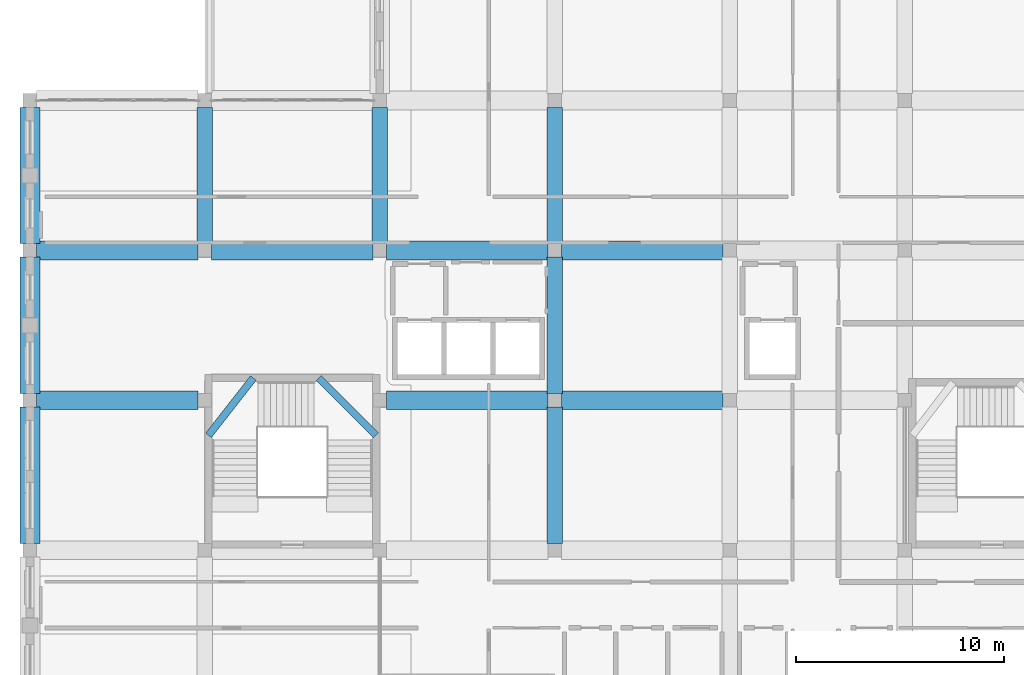
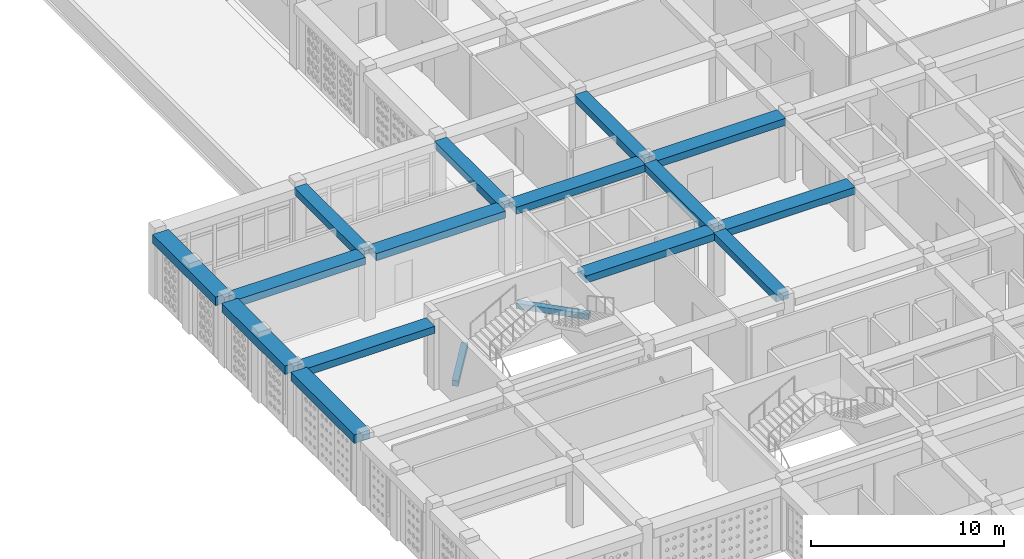
# One storey, part 11 of 79: 17 beams.
"""IFC4 building model written with IfcOpenShell, lengths in metres."""

from ifc_helpers import new_model, si_unit, derived_unit, direction, frame, origin, origin_2d, place, context, subcontext, project, spatial, rectangle, extrude, material, material_profile, profile_set, type_object, element, save


model = new_model("IFC4")

# Units and contexts
model_context = context("Model", 3, precision=1e-05, world=origin(), true_north=direction((0.0, 1.0)))
body_context = subcontext(model_context, "Body", "Model", "MODEL_VIEW")
ifc_project = project(units=[si_unit("LENGTHUNIT", "METRE"), si_unit("AREAUNIT", "SQUARE_METRE"), si_unit("VOLUMEUNIT", "CUBIC_METRE"), si_unit("PLANEANGLEUNIT", "RADIAN"), si_unit("MASSUNIT", "GRAM", prefix="KILO"), derived_unit("THERMALTRANSMITTANCEUNIT", [(si_unit("POWERUNIT", "WATT"), 1), (si_unit("LENGTHUNIT", "METRE"), -2), (si_unit("THERMODYNAMICTEMPERATUREUNIT", "KELVIN"), -1)])], contexts=[model_context])

# Site, building, storey
site_placement = place(None, origin())
site = spatial("IfcSite", under=ifc_project, at=site_placement, CompositionType="ELEMENT")
building_placement = place(site_placement, origin())
building = spatial("IfcBuilding", under=site, at=building_placement, Name="Veybourne Emporium", CompositionType="ELEMENT")
storey_placement = place(building_placement, frame((0.0, 0.0, 18.89990234375)))
storey = spatial("IfcBuildingStorey", under=building, at=storey_placement, Name="L04", CompositionType="ELEMENT", Elevation=18.89990234375)

# Beams
ifc_material = material(Name="Concrete C32/40", Category="concrete")
ifc_material_profile_1 = material_profile(ifc_material, rectangle(XDim=0.35009765625, YDim=0.35009765625, at=origin_2d()), Name="RC 350x350")
ifc_profile_set_1 = profile_set([ifc_material_profile_1], Name="Concrete C32/40")
beam_type_1 = type_object("IfcBeamType", Name="LandingBeam_LB-01", PredefinedType="BEAM", material=ifc_profile_set_1)
beam_1_placement = place(storey_placement, frame((8.574951171875, 34.320068359375, 1.125), z_axis=(0.616136975881, 0.787639020714, 0.0), x_axis=(-0.787639020714, 0.616136975881, 0.0)))
element("IfcBeam", 1, at=beam_1_placement, inside=storey, type_object=beam_type_1, Name="L04 ST-02 landing 1 support beam", PredefinedType="BEAM", context=body_context, shape_type="SweptSolid", body=[
    extrude(rectangle(XDim=0.35009765625, YDim=0.35009765625, at=origin_2d()), origin(), (0.0, 0.0, 1.0), 3.49755859375),
])
beam_2_placement = place(storey_placement, frame((13.8701171875, 37.074951171875, 2.625), z_axis=(0.707106781187, -0.707106781187, 0.0), x_axis=(0.707106781187, 0.707106781187, 0.0)))
element("IfcBeam", 2, at=beam_2_placement, inside=storey, type_object=beam_type_1, Name="L04 ST-02 landing 2 support beam", PredefinedType="BEAM", context=body_context, shape_type="SweptSolid", body=[
    extrude(rectangle(XDim=0.35009765625, YDim=0.35009765625, at=origin_2d()), origin(), (0.0, 0.0, 1.0), 3.89599609375),
])
ifc_material_profile_2 = material_profile(ifc_material, rectangle(XDim=0.89990234375, YDim=0.449951171875, at=origin_2d()), Name="RC 900x450")
ifc_profile_set_2 = profile_set([ifc_material_profile_2], Name="Concrete C32/40")
beam_type_2 = type_object("IfcBeamType", Name="RCBeam_BB-03", PredefinedType="BEAM", material=ifc_profile_set_2)
for number, where, z_axis, x_axis, name in (
    (3, (0.324951171875, 36.0, 3.955078125), (1.0, 0.0, 0.0), (0.0, 1.0, 0.0), "L04 X-grid beam BB-03 (0,5)"),
    (4, (0.324951171875, 43.199951171875, 3.955078125), (1.0, 0.0, 0.0), (0.0, 1.0, 0.0), "L04 X-grid beam BB-03 (0,6)"),
    (5, (8.72509765625, 43.199951171875, 3.955078125), (1.0, 0.0, 0.0), (0.0, 1.0, 0.0), "L04 X-grid beam BB-03 (1,6)"),
    (6, (17.125, 36.0, 3.955078125), (1.0, 0.0, 0.0), (0.0, 1.0, 0.0), "L04 X-grid beam BB-03 (2,5)"),
    (7, (17.125, 43.199951171875, 3.955078125), (1.0, 0.0, 0.0), (0.0, 1.0, 0.0), "L04 X-grid beam BB-03 (2,6)"),
    (8, (25.52490234375, 36.0, 3.955078125), (1.0, 0.0, 0.0), (0.0, 1.0, 0.0), "L04 X-grid beam BB-03 (3,5)"),
    (9, (25.52490234375, 43.199951171875, 3.955078125), (1.0, 0.0, 0.0), (0.0, 1.0, 0.0), "L04 X-grid beam BB-03 (3,6)"),
):
    element("IfcBeam", number, at=place(storey_placement, frame(where, z_axis=z_axis, x_axis=x_axis)), inside=storey, type_object=beam_type_2, Name=name, PredefinedType="BEAM", context=body_context, shape_type="SweptSolid", body=[
        extrude(rectangle(XDim=0.89990234375, YDim=0.449951171875, at=origin_2d()), origin(), (0.0, 0.0, 1.0), 7.75),
    ])
ifc_material_profile_3 = material_profile(ifc_material, rectangle(XDim=0.75, YDim=0.449951171875, at=origin_2d()), Name="RC 750x450")
ifc_profile_set_3 = profile_set([ifc_material_profile_3], Name="Concrete C32/40")
beam_type_3 = type_object("IfcBeamType", Name="RCBeam_BB-04", PredefinedType="BEAM", material=ifc_profile_set_3)
for number, where, z_axis, x_axis, name in (
    (10, (8.39990234375, 43.52490234375, 3.955078125), (0.0, 1.0, 0.0), (-1.0, 0.0, 0.0), "L04 Y-grid beam BB-04 (1,6)"),
    (11, (16.800048828125, 43.52490234375, 3.955078125), (0.0, 1.0, 0.0), (-1.0, 0.0, 0.0), "L04 Y-grid beam BB-04 (2,6)"),
    (12, (25.199951171875, 29.125, 3.955078125), (0.0, 1.0, 0.0), (-1.0, 0.0, 0.0), "L04 Y-grid beam BB-04 (3,4)"),
    (13, (25.199951171875, 36.324951171875, 3.955078125), (0.0, 1.0, 0.0), (-1.0, 0.0, 0.0), "L04 Y-grid beam BB-04 (3,5)"),
    (14, (25.199951171875, 43.52490234375, 3.955078125), (0.0, 1.0, 0.0), (-1.0, 0.0, 0.0), "L04 Y-grid beam BB-04 (3,6)"),
):
    element("IfcBeam", number, at=place(storey_placement, frame(where, z_axis=z_axis, x_axis=x_axis)), inside=storey, type_object=beam_type_3, Name=name, PredefinedType="BEAM", context=body_context, shape_type="SweptSolid", body=[
        extrude(rectangle(XDim=0.75, YDim=0.449951171875, at=origin_2d()), origin(), (0.0, 0.0, 1.0), 6.550048828125),
    ])
ifc_material_profile_4 = material_profile(ifc_material, rectangle(XDim=0.949951171875, YDim=0.550048828125, at=origin_2d()), Name="RC 950x550")
ifc_profile_set_4 = profile_set([ifc_material_profile_4], Name="Concrete C32/40")
beam_type_4 = type_object("IfcBeamType", Name="RCBeam_EB-01", PredefinedType="SPANDREL", material=ifc_profile_set_4)
for number, where, z_axis, x_axis, name in (
    (15, (0.0, 29.125, 3.905029296875), (0.0, 1.0, 0.0), (-1.0, 0.0, 0.0), "L04 Y-grid beam EB-01 (0,4)"),
    (16, (0.0, 36.324951171875, 3.905029296875), (0.0, 1.0, 0.0), (-1.0, 0.0, 0.0), "L04 Y-grid beam EB-01 (0,5)"),
    (17, (0.0, 43.52490234375, 3.905029296875), (0.0, 1.0, 0.0), (-1.0, 0.0, 0.0), "L04 Y-grid beam EB-01 (0,6)"),
):
    element("IfcBeam", number, at=place(storey_placement, frame(where, z_axis=z_axis, x_axis=x_axis)), inside=storey, type_object=beam_type_4, Name=name, PredefinedType="SPANDREL", context=body_context, shape_type="SweptSolid", body=[
        extrude(rectangle(XDim=0.949951171875, YDim=0.550048828125, at=origin_2d()), origin(), (0.0, 0.0, 1.0), 6.550048828125),
    ])

save(model, "model.ifc")
